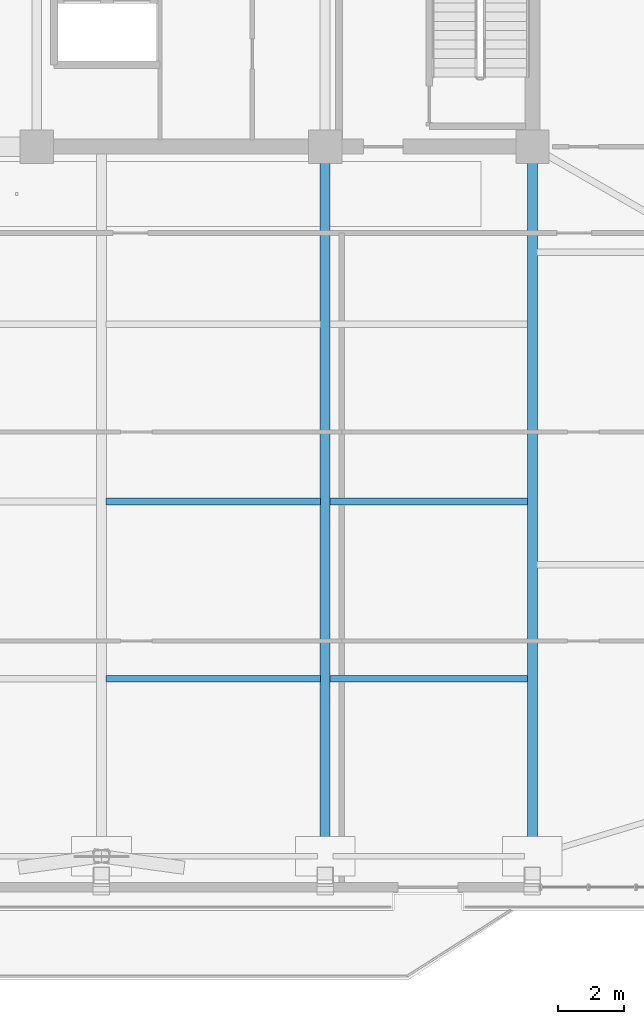
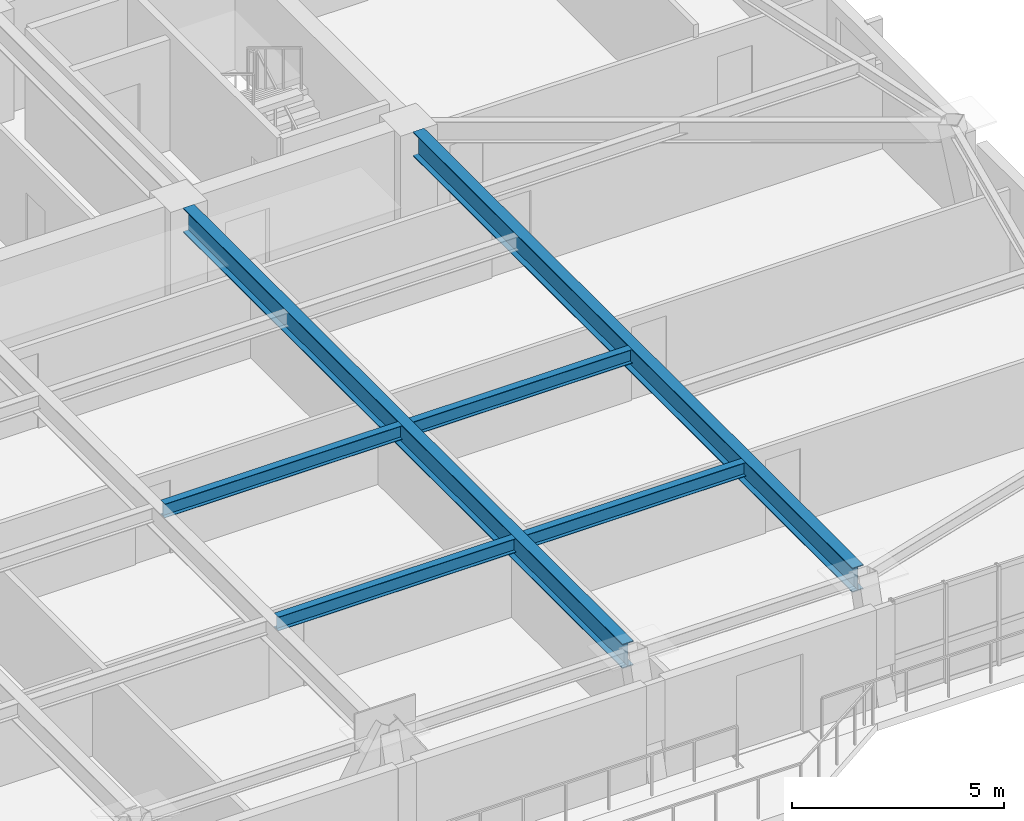
# One storey, part 5 of 16: 6 beams.
"""IFC4 building model written with IfcOpenShell, lengths in metres."""

import ifcopenshell
import ifcopenshell.guid

model = None  # the IFC model being written
_history = None  # IfcOwnerHistory: only IFC2X3 demands one
_inside = {}  # id of a spatial element -> (the spatial element, [elements in it])
_under = {}  # id of a project, library or spatial element -> (it, [spatial elements below it])
_declared = {}  # id of a project -> (the project, [libraries it declares])
_typed = {}  # id of a type object -> (the type object, [elements of that type])
_made_of = {}  # id of a material, layer set ... -> (it, [elements and type objects made of it])


def new_model(schema):
    """Start an empty IFC model of exactly this schema.

    Asked for "IFC4X3", IfcOpenShell would pick the latest addendum, in which some entities
    have other attributes; the version numbers below select the first issue.
    IFC2X3 requires an IfcOwnerHistory on every rooted entity: one is made here for all.
    """
    global model, _history
    if schema == "IFC4X3":
        model = ifcopenshell.file(schema_version=(4, 3, 0, 0))
    else:
        model = ifcopenshell.file(schema=schema)
    _inside.clear()
    _under.clear()
    _declared.clear()
    _typed.clear()
    _made_of.clear()
    _history = None
    if model.schema == "IFC2X3":
        org = make("IfcOrganization", Name="unknown")
        user = make(
            "IfcPersonAndOrganization",
            ThePerson=make("IfcPerson", FamilyName="unknown"),
            TheOrganization=org,
        )
        app = make(
            "IfcApplication",
            ApplicationDeveloper=org,
            Version="unknown",
            ApplicationFullName="unknown",
            ApplicationIdentifier="unknown",
        )
        _history = make(
            "IfcOwnerHistory",
            OwningUser=user,
            OwningApplication=app,
            ChangeAction="ADDED",
            CreationDate=0,
        )
    return model


def make(cls, **values):
    """One entity of the class cls with the attributes given. An attribute that is None is left unset."""
    return model.create_entity(
        cls, **{name: value for name, value in values.items() if value is not None}
    )


def rooted(cls, **values):
    """An entity with a GlobalId (a new one), such as an element, a storey or a relation."""
    return make(cls, GlobalId=ifcopenshell.guid.new(), OwnerHistory=_history, **values)


def si_unit(unit_type, name, prefix=None):
    """IfcSIUnit, for example si_unit("LENGTHUNIT", "METRE", prefix="MILLI")."""
    return make("IfcSIUnit", UnitType=unit_type, Prefix=prefix, Name=name)


def assignment(units):
    """IfcUnitAssignment: the units of a project."""
    return None if units is None else make("IfcUnitAssignment", Units=units)


def point(xyz):
    """IfcCartesianPoint."""
    return None if xyz is None else make("IfcCartesianPoint", Coordinates=xyz)


def direction(xyz):
    """IfcDirection."""
    return None if xyz is None else make("IfcDirection", DirectionRatios=xyz)


def frame(location, z_axis=None, x_axis=None):
    """IfcAxis2Placement3D, a coordinate frame: its origin and axes. An axis left out is left unset."""
    return make(
        "IfcAxis2Placement3D",
        Location=point(location),
        Axis=direction(z_axis),
        RefDirection=direction(x_axis),
    )


def frame_2d(location, x_axis=None):
    """IfcAxis2Placement2D, a coordinate frame in the plane: its origin and x axis."""
    return make(
        "IfcAxis2Placement2D", Location=point(location), RefDirection=direction(x_axis)
    )


def origin():
    """The frame at (0, 0, 0) with its axes left unset."""
    return frame((0.0, 0.0, 0.0))


def origin_2d():
    """The frame at (0, 0) in the plane with its x axis left unset."""
    return frame_2d((0.0, 0.0))


def place(relative_to, where):
    """IfcLocalPlacement: puts the frame where relative to a parent placement (None: the world)."""
    return make(
        "IfcLocalPlacement", PlacementRelTo=relative_to, RelativePlacement=where
    )


def context(
    kind, dimensions, precision=None, world=None, true_north=None, identifier=None
):
    """IfcGeometricRepresentationContext, for example the 3D "Model" context."""
    return make(
        "IfcGeometricRepresentationContext",
        ContextIdentifier=identifier,
        ContextType=kind,
        CoordinateSpaceDimension=dimensions,
        Precision=precision,
        WorldCoordinateSystem=world,
        TrueNorth=true_north,
    )


def subcontext(parent, identifier, kind, view, scale=None):
    """IfcGeometricRepresentationSubContext, for example "Body" below "Model"."""
    return make(
        "IfcGeometricRepresentationSubContext",
        ContextIdentifier=identifier,
        ContextType=kind,
        ParentContext=parent,
        TargetScale=scale,
        TargetView=view,
    )


def project(units=None, contexts=None):
    """IfcProject with its units and contexts."""
    return rooted(
        "IfcProject",
        Name="project",
        RepresentationContexts=contexts,
        UnitsInContext=assignment(units),
    )


def spatial(cls, under=None, at=None, **own):
    """A site, building, storey or space (cls), placed at a placement, below another one or the project."""
    s = rooted(cls, ObjectPlacement=at, **own)
    if under is not None:
        _under.setdefault(under.id(), (under, []))[1].append(s)
    return s


def profile(cls, at=None, kind="AREA", **sizes):
    """A parametric profile (cls). Its sizes go by their IFC names, for example OverallWidth=200.0."""
    return make(cls, ProfileType=kind, Position=at, **sizes)


def i_section(**sizes):
    """IfcIShapeProfileDef."""
    return profile("IfcIShapeProfileDef", **sizes)


def extrude(swept, where, along, depth):
    """IfcExtrudedAreaSolid: the profile swept, set in the frame where, extruded along a direction by depth."""
    return make(
        "IfcExtrudedAreaSolid",
        SweptArea=swept,
        Position=where,
        ExtrudedDirection=direction(along),
        Depth=depth,
    )


def shape(context_of_items, identifier, shape_type, items):
    """IfcShapeRepresentation: the items that make up one representation, for example the "Body"."""
    return make(
        "IfcShapeRepresentation",
        ContextOfItems=context_of_items,
        RepresentationIdentifier=identifier,
        RepresentationType=shape_type,
        Items=items,
    )


def source(mapping_origin, context_of_items, identifier, shape_type, items):
    """IfcRepresentationMap: a shape defined once, which mapped items show again and again."""
    return make(
        "IfcRepresentationMap",
        MappingOrigin=mapping_origin,
        MappedRepresentation=shape(context_of_items, identifier, shape_type, items),
    )


def transform(
    local_origin,
    x_axis=None,
    y_axis=None,
    z_axis=None,
    scale=None,
    scale2=None,
    scale3=None,
    uniform=True,
):
    """IfcCartesianTransformationOperator3D, or its non-uniform kind. x_axis, y_axis, z_axis: its Axis1, 2, 3."""
    if uniform:
        return make(
            "IfcCartesianTransformationOperator3D",
            Axis1=direction(x_axis),
            Axis2=direction(y_axis),
            LocalOrigin=point(local_origin),
            Scale=scale,
            Axis3=direction(z_axis),
        )
    return make(
        "IfcCartesianTransformationOperator3DnonUniform",
        Axis1=direction(x_axis),
        Axis2=direction(y_axis),
        LocalOrigin=point(local_origin),
        Scale=scale,
        Axis3=direction(z_axis),
        Scale2=scale2,
        Scale3=scale3,
    )


def mapped(mapping_source, mapping_target):
    """IfcMappedItem: shows the shape of a source again, moved by a transform."""
    return make(
        "IfcMappedItem", MappingSource=mapping_source, MappingTarget=mapping_target
    )


def material(Name=None, Category=None):
    """IfcMaterial."""
    return make("IfcMaterial", Name=Name, Category=Category)


def material_profile(
    of_material, cross_section, Name=None, Category=None, Priority=None
):
    """IfcMaterialProfile: a cross section and its material."""
    return make(
        "IfcMaterialProfile",
        Name=Name,
        Material=of_material,
        Profile=cross_section,
        Priority=Priority,
        Category=Category,
    )


def profile_set(profiles, Name=None, composite=None):
    """IfcMaterialProfileSet."""
    return make(
        "IfcMaterialProfileSet",
        Name=Name,
        MaterialProfiles=profiles,
        CompositeProfile=composite,
    )


def made_of(thing, what):
    """Note that an element or type object is made of a material, layer set ...; save() writes the relation."""
    if what is not None:
        _made_of.setdefault(what.id(), (what, []))[1].append(thing)
    return thing


def type_object(cls, material=None, **own):
    """A type object (cls), such as IfcWallType, which elements share."""
    return made_of(rooted(cls, **own), material)


def element(
    cls,
    number,
    at=None,
    inside=None,
    cuts=None,
    type_object=None,
    material=None,
    context=None,
    identifier="Body",
    shape_type=None,
    held_by="IfcProductDefinitionShape",
    body=None,
    shapes=None,
    **own,
):
    """One element of the class cls, such as IfcWall. Its Tag is "e" and its number.

    at: its placement. inside: the storey or other place that contains it. cuts: it is an
    opening in that element (IfcRelVoidsElement). A single representation is given by context,
    identifier, shape_type and body (its items); several are given by shapes. held_by: the class
    of the entity that holds the representations. save() writes the other relations.
    """
    e = rooted(cls, Tag="e%d" % number, ObjectPlacement=at, **own)
    if body is not None:
        shapes = [shape(context, identifier, shape_type, body)]
    if shapes is not None:
        e.Representation = make(held_by, Representations=shapes)
    if inside is not None:
        _inside.setdefault(inside.id(), (inside, []))[1].append(e)
    if cuts is not None:
        rooted(
            "IfcRelVoidsElement", RelatingBuildingElement=cuts, RelatedOpeningElement=e
        )
    if type_object is not None:
        _typed.setdefault(type_object.id(), (type_object, []))[1].append(e)
    return made_of(e, material)


def aggregate(whole, parts):
    """IfcRelAggregates: a whole, such as a stair, and the parts it consists of."""
    return rooted("IfcRelAggregates", RelatingObject=whole, RelatedObjects=parts)


def save(model, path):
    """Write the relations noted so far, then the file.

    IfcRelAggregates (storeys below a building ...), IfcRelContainedInSpatialStructure (elements
    in a storey), IfcRelDefinesByType, IfcRelAssociatesMaterial and IfcRelDeclares: one each for
    every whole, place, type object, material and project.
    """
    for whole, parts in _under.values():
        aggregate(whole, parts)
    for where, things in _inside.values():
        rooted(
            "IfcRelContainedInSpatialStructure",
            RelatedElements=things,
            RelatingStructure=where,
        )
    for kind, things in _typed.values():
        rooted("IfcRelDefinesByType", RelatedObjects=things, RelatingType=kind)
    for what, things in _made_of.values():
        rooted("IfcRelAssociatesMaterial", RelatedObjects=things, RelatingMaterial=what)
    for by, libraries in _declared.values():
        rooted("IfcRelDeclares", RelatingContext=by, RelatedDefinitions=libraries)
    model.write(path)


model = new_model("IFC4")

# Units and contexts
model_context = context("Model", 3, precision=1e-05, world=origin(), true_north=direction((0.0, 1.0)))
body_context = subcontext(model_context, "Body", "Model", "MODEL_VIEW")
ifc_project = project(units=[si_unit("LENGTHUNIT", "METRE"), si_unit("AREAUNIT", "SQUARE_METRE"), si_unit("VOLUMEUNIT", "CUBIC_METRE"), si_unit("PLANEANGLEUNIT", "RADIAN"), si_unit("MASSUNIT", "GRAM", prefix="KILO")], contexts=[model_context])

# Site, building, storey
site_placement = place(None, origin())
site = spatial("IfcSite", under=ifc_project, at=site_placement, CompositionType="ELEMENT")
building_placement = place(site_placement, origin())
building = spatial("IfcBuilding", under=site, at=building_placement, Name="Giltprow Tower", CompositionType="ELEMENT")
storey_placement = place(building_placement, frame((0.0, 0.0, 255.300048828125)))
storey = spatial("IfcBuildingStorey", under=building, at=storey_placement, Name="L65", CompositionType="ELEMENT", Elevation=255.300048828125)

# Beams
ifc_material = material(Name="Structural steel Q355B", Category="steel")
ifc_material_profile_1 = material_profile(ifc_material, i_section(OverallWidth=0.199951171875, OverallDepth=0.39990234375, WebThickness=0.008056640625, FlangeThickness=0.012939453125, at=origin_2d()), Name="HN 400x200x8x13")
ifc_profile_set_1 = profile_set([ifc_material_profile_1], Name="Structural steel Q355B")
beam_type_1 = type_object("IfcBeamType", Name="BM-JOIST-HN400", PredefinedType="JOIST", material=ifc_profile_set_1)
shared_shape_1 = source(origin(), body_context, "Body", "SweptSolid", [
    extrude(i_section(OverallWidth=0.199951171875, OverallDepth=0.39990234375, WebThickness=0.008056640625, FlangeThickness=0.012939453125, at=origin_2d()), origin(), (0.0, 0.0, 1.0), 6.4599609375),
])
for number, where, z_axis, x_axis, name in (
    (1, (37.695068359375, 21.39599609375, 2.98486328125), (1.0, 0.0, 0.0), (0.0, 1.0, 0.0), "L65 Composite Floor Joist 1-3"),
    (2, (37.695068359375, 26.748046875, 2.98486328125), (1.0, 0.0, 0.0), (0.0, 1.0, 0.0), "L65 Composite Floor Joist 2-3"),
):
    element("IfcBeam", number, at=place(storey_placement, frame(where, z_axis=z_axis, x_axis=x_axis)), inside=storey, type_object=beam_type_1, Name=name, PredefinedType="JOIST", context=body_context, shape_type="MappedRepresentation", body=[
        mapped(shared_shape_1, transform((0.0, 0.0, 0.0), x_axis=(1.0, 0.0, 0.0), y_axis=(0.0, 1.0, 0.0), z_axis=(0.0, 0.0, 1.0), scale=1.0)),
    ])
shared_shape_2 = source(origin(), body_context, "Body", "SweptSolid", [
    extrude(i_section(OverallWidth=0.199951171875, OverallDepth=0.39990234375, WebThickness=0.008056640625, FlangeThickness=0.012939453125, at=origin_2d()), origin(), (0.0, 0.0, 1.0), 5.9599609375),
])
for number, where, z_axis, x_axis, name in (
    (3, (44.445068359375, 21.39599609375, 2.98486328125), (1.0, 0.0, 0.0), (0.0, 1.0, 0.0), "L65 Composite Floor Joist 1-4"),
    (4, (44.445068359375, 26.748046875, 2.98486328125), (1.0, 0.0, 0.0), (0.0, 1.0, 0.0), "L65 Composite Floor Joist 2-4"),
):
    element("IfcBeam", number, at=place(storey_placement, frame(where, z_axis=z_axis, x_axis=x_axis)), inside=storey, type_object=beam_type_1, Name=name, PredefinedType="JOIST", context=body_context, shape_type="MappedRepresentation", body=[
        mapped(shared_shape_2, transform((0.0, 0.0, 0.0), x_axis=(1.0, 0.0, 0.0), y_axis=(0.0, 1.0, 0.0), z_axis=(0.0, 0.0, 1.0), scale=1.0)),
    ])
ifc_material_profile_2 = material_profile(ifc_material, i_section(OverallWidth=0.300048828125, OverallDepth=0.699951171875, WebThickness=0.012939453125, FlangeThickness=0.02392578125, at=origin_2d()), Name="HN 700x300x13x24")
ifc_profile_set_2 = profile_set([ifc_material_profile_2], Name="Structural steel Q355B")
beam_type_2 = type_object("IfcBeamType", Name="BM-GIRD-HN700", PredefinedType="BEAM", material=ifc_profile_set_2)
shared_shape_3 = source(origin(), body_context, "Body", "SweptSolid", [
    extrude(i_section(OverallWidth=0.300048828125, OverallDepth=0.699951171875, WebThickness=0.012939453125, FlangeThickness=0.02392578125, at=origin_2d()), origin(), (0.0, 0.0, 1.0), 20.68505859375),
])
for number, where, z_axis, x_axis, name in (
    (5, (44.300048828125, 16.280029296875, 2.8349609375), (0.0, 1.0, 0.0), (-1.0, 0.0, 0.0), "L65 Primary Lease Girder S3"),
    (6, (50.550048828125, 16.280029296875, 2.8349609375), (0.0, 1.0, 0.0), (-1.0, 0.0, 0.0), "L65 Primary Lease Girder S4"),
):
    element("IfcBeam", number, at=place(storey_placement, frame(where, z_axis=z_axis, x_axis=x_axis)), inside=storey, type_object=beam_type_2, Name=name, PredefinedType="BEAM", context=body_context, shape_type="MappedRepresentation", body=[
        mapped(shared_shape_3, transform((0.0, 0.0, 0.0), x_axis=(1.0, 0.0, 0.0), y_axis=(0.0, 1.0, 0.0), z_axis=(0.0, 0.0, 1.0), scale=1.0)),
    ])

save(model, "model.ifc")
